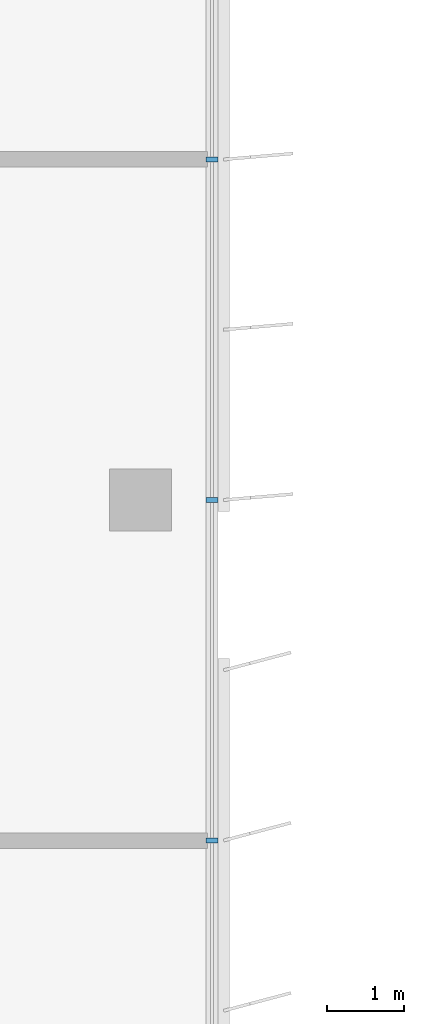
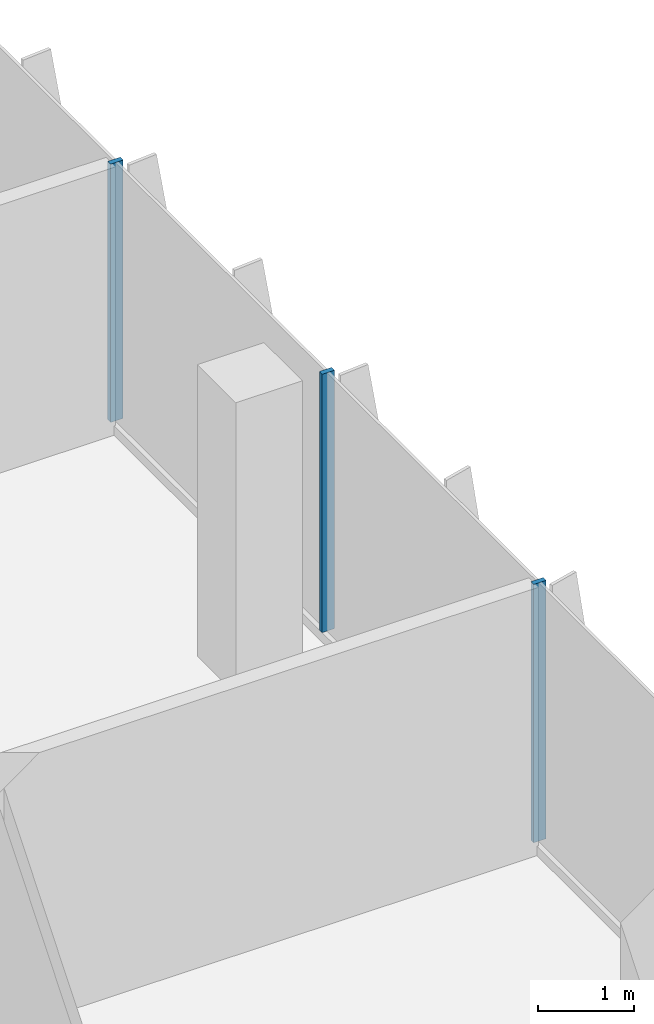
# One storey, part 4 of 15: 3 members, 1 element without a shape of its own.
"""IFC4 building model written with IfcOpenShell, lengths in metres."""

import ifcopenshell
import ifcopenshell.guid

model = None  # the IFC model being written
_history = None  # IfcOwnerHistory: only IFC2X3 demands one
_inside = {}  # id of a spatial element -> (the spatial element, [elements in it])
_under = {}  # id of a project, library or spatial element -> (it, [spatial elements below it])
_declared = {}  # id of a project -> (the project, [libraries it declares])
_typed = {}  # id of a type object -> (the type object, [elements of that type])
_made_of = {}  # id of a material, layer set ... -> (it, [elements and type objects made of it])


def new_model(schema):
    """Start an empty IFC model of exactly this schema.

    Asked for "IFC4X3", IfcOpenShell would pick the latest addendum, in which some entities
    have other attributes; the version numbers below select the first issue.
    IFC2X3 requires an IfcOwnerHistory on every rooted entity: one is made here for all.
    """
    global model, _history
    if schema == "IFC4X3":
        model = ifcopenshell.file(schema_version=(4, 3, 0, 0))
    else:
        model = ifcopenshell.file(schema=schema)
    _inside.clear()
    _under.clear()
    _declared.clear()
    _typed.clear()
    _made_of.clear()
    _history = None
    if model.schema == "IFC2X3":
        org = make("IfcOrganization", Name="unknown")
        user = make(
            "IfcPersonAndOrganization",
            ThePerson=make("IfcPerson", FamilyName="unknown"),
            TheOrganization=org,
        )
        app = make(
            "IfcApplication",
            ApplicationDeveloper=org,
            Version="unknown",
            ApplicationFullName="unknown",
            ApplicationIdentifier="unknown",
        )
        _history = make(
            "IfcOwnerHistory",
            OwningUser=user,
            OwningApplication=app,
            ChangeAction="ADDED",
            CreationDate=0,
        )
    return model


def make(cls, **values):
    """One entity of the class cls with the attributes given. An attribute that is None is left unset."""
    return model.create_entity(
        cls, **{name: value for name, value in values.items() if value is not None}
    )


def rooted(cls, **values):
    """An entity with a GlobalId (a new one), such as an element, a storey or a relation."""
    return make(cls, GlobalId=ifcopenshell.guid.new(), OwnerHistory=_history, **values)


def si_unit(unit_type, name, prefix=None):
    """IfcSIUnit, for example si_unit("LENGTHUNIT", "METRE", prefix="MILLI")."""
    return make("IfcSIUnit", UnitType=unit_type, Prefix=prefix, Name=name)


def assignment(units):
    """IfcUnitAssignment: the units of a project."""
    return None if units is None else make("IfcUnitAssignment", Units=units)


def point(xyz):
    """IfcCartesianPoint."""
    return None if xyz is None else make("IfcCartesianPoint", Coordinates=xyz)


def direction(xyz):
    """IfcDirection."""
    return None if xyz is None else make("IfcDirection", DirectionRatios=xyz)


def frame(location, z_axis=None, x_axis=None):
    """IfcAxis2Placement3D, a coordinate frame: its origin and axes. An axis left out is left unset."""
    return make(
        "IfcAxis2Placement3D",
        Location=point(location),
        Axis=direction(z_axis),
        RefDirection=direction(x_axis),
    )


def frame_2d(location, x_axis=None):
    """IfcAxis2Placement2D, a coordinate frame in the plane: its origin and x axis."""
    return make(
        "IfcAxis2Placement2D", Location=point(location), RefDirection=direction(x_axis)
    )


def origin():
    """The frame at (0, 0, 0) with its axes left unset."""
    return frame((0.0, 0.0, 0.0))


def origin_2d():
    """The frame at (0, 0) in the plane with its x axis left unset."""
    return frame_2d((0.0, 0.0))


def place(relative_to, where):
    """IfcLocalPlacement: puts the frame where relative to a parent placement (None: the world)."""
    return make(
        "IfcLocalPlacement", PlacementRelTo=relative_to, RelativePlacement=where
    )


def context(
    kind, dimensions, precision=None, world=None, true_north=None, identifier=None
):
    """IfcGeometricRepresentationContext, for example the 3D "Model" context."""
    return make(
        "IfcGeometricRepresentationContext",
        ContextIdentifier=identifier,
        ContextType=kind,
        CoordinateSpaceDimension=dimensions,
        Precision=precision,
        WorldCoordinateSystem=world,
        TrueNorth=true_north,
    )


def subcontext(parent, identifier, kind, view, scale=None):
    """IfcGeometricRepresentationSubContext, for example "Body" below "Model"."""
    return make(
        "IfcGeometricRepresentationSubContext",
        ContextIdentifier=identifier,
        ContextType=kind,
        ParentContext=parent,
        TargetScale=scale,
        TargetView=view,
    )


def project(units=None, contexts=None):
    """IfcProject with its units and contexts."""
    return rooted(
        "IfcProject",
        Name="project",
        RepresentationContexts=contexts,
        UnitsInContext=assignment(units),
    )


def spatial(cls, under=None, at=None, **own):
    """A site, building, storey or space (cls), placed at a placement, below another one or the project."""
    s = rooted(cls, ObjectPlacement=at, **own)
    if under is not None:
        _under.setdefault(under.id(), (under, []))[1].append(s)
    return s


def profile(cls, at=None, kind="AREA", **sizes):
    """A parametric profile (cls). Its sizes go by their IFC names, for example OverallWidth=200.0."""
    return make(cls, ProfileType=kind, Position=at, **sizes)


def rectangle(**sizes):
    """IfcRectangleProfileDef."""
    return profile("IfcRectangleProfileDef", **sizes)


def extrude(swept, where, along, depth):
    """IfcExtrudedAreaSolid: the profile swept, set in the frame where, extruded along a direction by depth."""
    return make(
        "IfcExtrudedAreaSolid",
        SweptArea=swept,
        Position=where,
        ExtrudedDirection=direction(along),
        Depth=depth,
    )


def shape(context_of_items, identifier, shape_type, items):
    """IfcShapeRepresentation: the items that make up one representation, for example the "Body"."""
    return make(
        "IfcShapeRepresentation",
        ContextOfItems=context_of_items,
        RepresentationIdentifier=identifier,
        RepresentationType=shape_type,
        Items=items,
    )


def source(mapping_origin, context_of_items, identifier, shape_type, items):
    """IfcRepresentationMap: a shape defined once, which mapped items show again and again."""
    return make(
        "IfcRepresentationMap",
        MappingOrigin=mapping_origin,
        MappedRepresentation=shape(context_of_items, identifier, shape_type, items),
    )


def transform(
    local_origin,
    x_axis=None,
    y_axis=None,
    z_axis=None,
    scale=None,
    scale2=None,
    scale3=None,
    uniform=True,
):
    """IfcCartesianTransformationOperator3D, or its non-uniform kind. x_axis, y_axis, z_axis: its Axis1, 2, 3."""
    if uniform:
        return make(
            "IfcCartesianTransformationOperator3D",
            Axis1=direction(x_axis),
            Axis2=direction(y_axis),
            LocalOrigin=point(local_origin),
            Scale=scale,
            Axis3=direction(z_axis),
        )
    return make(
        "IfcCartesianTransformationOperator3DnonUniform",
        Axis1=direction(x_axis),
        Axis2=direction(y_axis),
        LocalOrigin=point(local_origin),
        Scale=scale,
        Axis3=direction(z_axis),
        Scale2=scale2,
        Scale3=scale3,
    )


def mapped(mapping_source, mapping_target):
    """IfcMappedItem: shows the shape of a source again, moved by a transform."""
    return make(
        "IfcMappedItem", MappingSource=mapping_source, MappingTarget=mapping_target
    )


def material(Name=None, Category=None):
    """IfcMaterial."""
    return make("IfcMaterial", Name=Name, Category=Category)


def material_profile(
    of_material, cross_section, Name=None, Category=None, Priority=None
):
    """IfcMaterialProfile: a cross section and its material."""
    return make(
        "IfcMaterialProfile",
        Name=Name,
        Material=of_material,
        Profile=cross_section,
        Priority=Priority,
        Category=Category,
    )


def profile_set(profiles, Name=None, composite=None):
    """IfcMaterialProfileSet."""
    return make(
        "IfcMaterialProfileSet",
        Name=Name,
        MaterialProfiles=profiles,
        CompositeProfile=composite,
    )


def made_of(thing, what):
    """Note that an element or type object is made of a material, layer set ...; save() writes the relation."""
    if what is not None:
        _made_of.setdefault(what.id(), (what, []))[1].append(thing)
    return thing


def type_object(cls, material=None, **own):
    """A type object (cls), such as IfcWallType, which elements share."""
    return made_of(rooted(cls, **own), material)


def element(
    cls,
    number,
    at=None,
    inside=None,
    cuts=None,
    type_object=None,
    material=None,
    context=None,
    identifier="Body",
    shape_type=None,
    held_by="IfcProductDefinitionShape",
    body=None,
    shapes=None,
    **own,
):
    """One element of the class cls, such as IfcWall. Its Tag is "e" and its number.

    at: its placement. inside: the storey or other place that contains it. cuts: it is an
    opening in that element (IfcRelVoidsElement). A single representation is given by context,
    identifier, shape_type and body (its items); several are given by shapes. held_by: the class
    of the entity that holds the representations. save() writes the other relations.
    """
    e = rooted(cls, Tag="e%d" % number, ObjectPlacement=at, **own)
    if body is not None:
        shapes = [shape(context, identifier, shape_type, body)]
    if shapes is not None:
        e.Representation = make(held_by, Representations=shapes)
    if inside is not None:
        _inside.setdefault(inside.id(), (inside, []))[1].append(e)
    if cuts is not None:
        rooted(
            "IfcRelVoidsElement", RelatingBuildingElement=cuts, RelatedOpeningElement=e
        )
    if type_object is not None:
        _typed.setdefault(type_object.id(), (type_object, []))[1].append(e)
    return made_of(e, material)


def aggregate(whole, parts):
    """IfcRelAggregates: a whole, such as a stair, and the parts it consists of."""
    return rooted("IfcRelAggregates", RelatingObject=whole, RelatedObjects=parts)


def save(model, path):
    """Write the relations noted so far, then the file.

    IfcRelAggregates (storeys below a building ...), IfcRelContainedInSpatialStructure (elements
    in a storey), IfcRelDefinesByType, IfcRelAssociatesMaterial and IfcRelDeclares: one each for
    every whole, place, type object, material and project.
    """
    for whole, parts in _under.values():
        aggregate(whole, parts)
    for where, things in _inside.values():
        rooted(
            "IfcRelContainedInSpatialStructure",
            RelatedElements=things,
            RelatingStructure=where,
        )
    for kind, things in _typed.values():
        rooted("IfcRelDefinesByType", RelatedObjects=things, RelatingType=kind)
    for what, things in _made_of.values():
        rooted("IfcRelAssociatesMaterial", RelatedObjects=things, RelatingMaterial=what)
    for by, libraries in _declared.values():
        rooted("IfcRelDeclares", RelatingContext=by, RelatedDefinitions=libraries)
    model.write(path)


model = new_model("IFC4")

# Units and contexts
model_context = context("Model", 3, precision=1e-05, world=origin(), true_north=direction((0.0, 1.0)))
body_context = subcontext(model_context, "Body", "Model", "MODEL_VIEW")
ifc_project = project(units=[si_unit("LENGTHUNIT", "METRE"), si_unit("AREAUNIT", "SQUARE_METRE"), si_unit("VOLUMEUNIT", "CUBIC_METRE"), si_unit("PLANEANGLEUNIT", "RADIAN"), si_unit("MASSUNIT", "GRAM", prefix="KILO")], contexts=[model_context])

# Site, building, storey
site_placement = place(None, origin())
site = spatial("IfcSite", under=ifc_project, at=site_placement, CompositionType="ELEMENT")
building_placement = place(site_placement, origin())
building = spatial("IfcBuilding", under=site, at=building_placement, Name="Kemantara Hotel Tower", CompositionType="ELEMENT")
storey_placement = place(building_placement, frame((0.0, 0.0, 279.60009765625)))
storey = spatial("IfcBuildingStorey", under=building, at=storey_placement, Name="L70", CompositionType="ELEMENT", Elevation=279.60009765625)

# Curtain wall, members
ifc_material_1 = material(Name="Low-E tinted double insulated glass 36 mm", Category="glass")
curtain_wall_type = type_object("IfcCurtainWallType", Name="TOWER CURTAIN WALL, FRONT FACES", PredefinedType="USERDEFINED", material=ifc_material_1)
curtain_wall_placement = place(storey_placement, origin())
curtain_wall = element("IfcCurtainWall", 1, at=curtain_wall_placement, inside=storey, type_object=curtain_wall_type, Name="CW4 L70 T4-R15-1", ObjectType="TOWER CURTAIN WALL, FRONT FACES", PredefinedType="USERDEFINED")
ifc_material_2 = material(Name="Aluminium 6063-T6 bronze anodised", Category="aluminium")
ifc_material_profile = material_profile(ifc_material_2, rectangle(XDim=0.14990234375, YDim=0.06005859375, at=origin_2d()), Name="TOWER CURTAIN WALL, FRONT FACES MULLION")
ifc_profile_set = profile_set([ifc_material_profile], Name="Aluminium 6063-T6 bronze anodised")
member_type = type_object("IfcMemberType", Name="TOWER CURTAIN WALL, FRONT FACES MULLION", PredefinedType="MULLION", material=ifc_profile_set)
shared_shape = source(origin(), body_context, "Body", "SweptSolid", [
    extrude(rectangle(XDim=0.14990234375, YDim=0.06005859375, at=origin_2d()), origin(), (0.0, 0.0, 1.0), 3.280029296875),
])
member_1_placement = place(storey_placement, frame((21.925048828125, 31.800048828125, 0.119873046875), z_axis=(0.0, 0.0, 1.0), x_axis=(-1.0, 0.0, 0.0)))
member_1 = element("IfcMember", 2, at=member_1_placement, type_object=member_type, Name="CW4 mullion T4-R15-1.3", PredefinedType="MULLION", context=body_context, shape_type="MappedRepresentation", body=[
    mapped(shared_shape, transform((0.0, 0.0, 0.0))),
])
member_2_placement = place(storey_placement, frame((21.925048828125, 36.199951171875, 0.119873046875), z_axis=(0.0, 0.0, 1.0), x_axis=(-1.0, 0.0, 0.0)))
member_2 = element("IfcMember", 3, at=member_2_placement, type_object=member_type, Name="CW4 mullion T4-R15-1.4", PredefinedType="MULLION", context=body_context, shape_type="MappedRepresentation", body=[
    mapped(shared_shape, transform((0.0, 0.0, 0.0))),
])
member_3_placement = place(storey_placement, frame((21.925048828125, 40.60009765625, 0.119873046875), z_axis=(0.0, 0.0, 1.0), x_axis=(-1.0, 0.0, 0.0)))
member_3 = element("IfcMember", 4, at=member_3_placement, type_object=member_type, Name="CW4 mullion T4-R15-1.5", PredefinedType="MULLION", context=body_context, shape_type="MappedRepresentation", body=[
    mapped(shared_shape, transform((0.0, 0.0, 0.0))),
])
aggregate(curtain_wall, [member_1, member_2, member_3])

save(model, "model.ifc")
